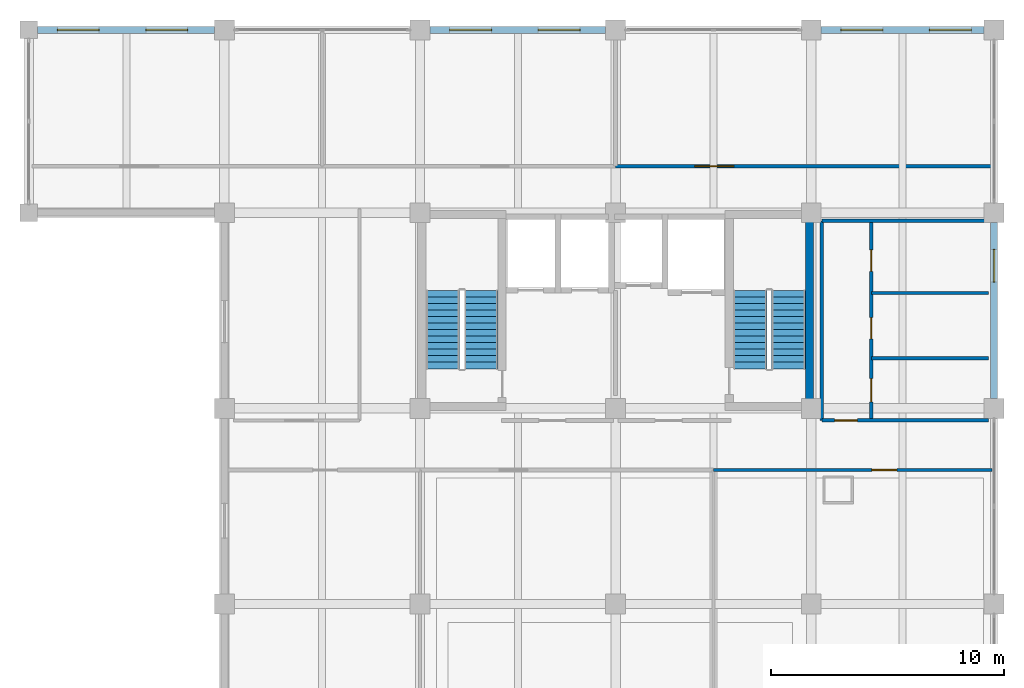
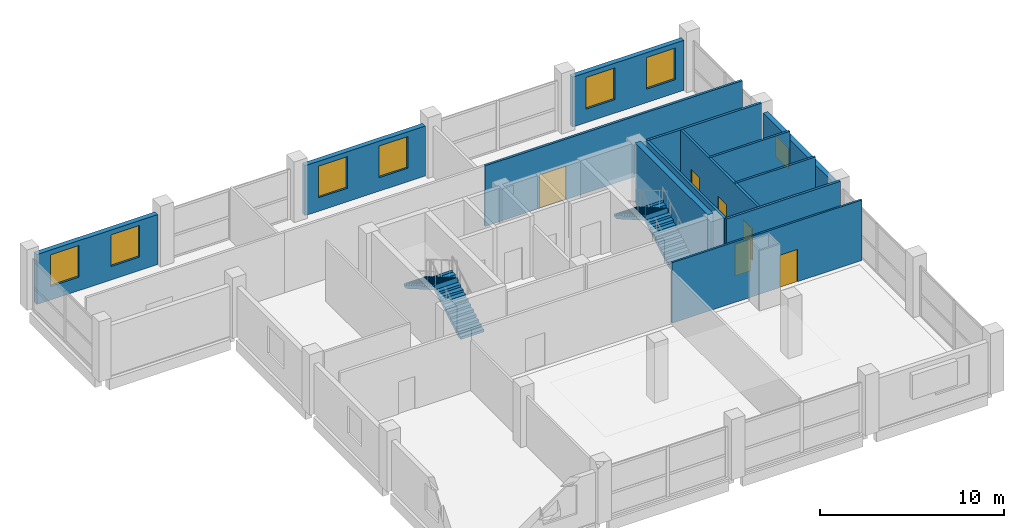
# One storey, part 8 of 9: 13 walls, 7 windows, 6 doors, 4 stair flights, 13 openings, 2 elements without a shape of their own.
"""IFC4 building model written with IfcOpenShell, lengths in metres."""

from ifc_helpers import new_model, si_unit, direction, frame, frame_2d, origin, place, context, subcontext, project, spatial, polyline, rectangle, outline, extrude, material, layer, layer_set, type_object, element, fill, aggregate, save


model = new_model("IFC4")

# Units and contexts
model_context = context("Model", 3, precision=1e-05, world=origin(), true_north=direction((0.0, 1.0)))
body_context = subcontext(model_context, "Body", "Model", "MODEL_VIEW")
ifc_project = project(units=[si_unit("LENGTHUNIT", "METRE"), si_unit("AREAUNIT", "SQUARE_METRE"), si_unit("VOLUMEUNIT", "CUBIC_METRE"), si_unit("PLANEANGLEUNIT", "RADIAN"), si_unit("MASSUNIT", "GRAM", prefix="KILO")], contexts=[model_context])

# Site, building, storey
site_placement = place(None, origin())
site = spatial("IfcSite", under=ifc_project, at=site_placement, CompositionType="ELEMENT")
building_placement = place(site_placement, origin())
building = spatial("IfcBuilding", under=site, at=building_placement, Name="Brinegate Botanical Conservatory", CompositionType="ELEMENT")
storey_placement = place(building_placement, frame((0.0, 0.0, 36.0)))
storey = spatial("IfcBuildingStorey", under=building, at=storey_placement, Name="L09", CompositionType="ELEMENT", Elevation=36.0)

# Wall, openings, windows
ifc_material_1 = material(Name="Insulated Minnan red clay brick masonry", Category="masonry")
ifc_layer_1 = layer(ifc_material_1, 0.300048828125, Name="Insulated Minnan red clay brick masonry", Category="masonry")
ifc_layer_set_1 = layer_set([ifc_layer_1], Name="Insulated Minnan red clay brick masonry")
wall_type_1 = type_object("IfcWallType", Name="Wall_EW-300B", PredefinedType="STANDARD", material=ifc_layer_set_1)
wall_1_placement = place(storey_placement, frame((122.375, 111.449951171875, 0.0), z_axis=(0.0, 0.0, 1.0), x_axis=(1.0, 0.0, 0.0)))
wall_1 = element("IfcWall", 1, at=wall_1_placement, inside=storey, type_object=wall_type_1, Name="Research lab north brick wall L09.1", PredefinedType="STANDARD", context=body_context, shape_type="SweptSolid", body=[
    extrude(rectangle(XDim=7.60009765625, YDim=0.300048828125, at=frame_2d((3.800048828125, 0.0))), origin(), (0.0, 0.0, 1.0), 3.320068359375),
])
opening_1_placement = place(wall_1_placement, frame((0.85009765625, 0.0, 0.89990234375)))
opening_1 = element("IfcOpeningElement", 2, at=opening_1_placement, cuts=wall_1, Name="Opening WN-01", PredefinedType="OPENING", context=body_context, shape_type="SweptSolid", body=[
    extrude(rectangle(XDim=1.800048828125, YDim=2.10009765625, at=frame_2d((0.89990234375, 1.050048828125))), frame((0.0, 0.159912109375, 0.0), z_axis=(0.0, -1.0, 0.0), x_axis=(1.0, 0.0, 0.0)), (0.0, 0.0, 1.0), 0.320068359375),
])
opening_2_placement = place(wall_1_placement, frame((4.64990234375, 0.0, 0.89990234375)))
opening_2 = element("IfcOpeningElement", 3, at=opening_2_placement, cuts=wall_1, Name="Opening WN-01", PredefinedType="OPENING", context=body_context, shape_type="SweptSolid", body=[
    extrude(rectangle(XDim=1.800048828125, YDim=2.10009765625, at=frame_2d((0.89990234375, 1.050048828125))), frame((0.0, 0.159912109375, 0.0), z_axis=(0.0, -1.0, 0.0), x_axis=(1.0, 0.0, 0.0)), (0.0, 0.0, 1.0), 0.320068359375),
])
ifc_material_2 = material(Name="Thermally broken aluminium-framed Low-E glass", Category="aluminium")
window_type_1 = type_object("IfcWindowType", Name="Win_WN-01", PartitioningType="DOUBLE_PANEL_VERTICAL", PredefinedType="WINDOW", material=ifc_material_2)
window_1_placement = place(opening_1_placement, origin())
window_1 = element("IfcWindow", 4, at=window_1_placement, inside=storey, type_object=window_type_1, Name="Research lab north window L09.1A", OverallHeight=2.10009765625, OverallWidth=1.800048828125, PartitioningType="DOUBLE_PANEL_VERTICAL", PredefinedType="WINDOW", context=body_context, shape_type="SweptSolid", body=[
    extrude(rectangle(XDim=1.800048828125, YDim=2.10009765625, at=frame_2d((0.89990234375, 1.050048828125))), frame((0.0, 0.030029296875, 0.0), z_axis=(0.0, -1.0, 0.0), x_axis=(1.0, 0.0, 0.0)), (0.0, 0.0, 1.0), 0.06005859375),
])
fill(opening_1, window_1)
window_2_placement = place(opening_2_placement, origin())
window_2 = element("IfcWindow", 5, at=window_2_placement, inside=storey, type_object=window_type_1, Name="Research lab north window L09.1B", OverallHeight=2.10009765625, OverallWidth=1.800048828125, PartitioningType="DOUBLE_PANEL_VERTICAL", PredefinedType="WINDOW", context=body_context, shape_type="SweptSolid", body=[
    extrude(rectangle(XDim=1.800048828125, YDim=2.10009765625, at=frame_2d((0.89990234375, 1.050048828125))), frame((0.0, 0.030029296875, 0.0), z_axis=(0.0, -1.0, 0.0), x_axis=(1.0, 0.0, 0.0)), (0.0, 0.0, 1.0), 0.06005859375),
])
fill(opening_2, window_2)

wall_2_placement = place(storey_placement, frame((139.22509765625, 111.449951171875, 0.0), z_axis=(0.0, 0.0, 1.0), x_axis=(1.0, 0.0, 0.0)))
wall_2 = element("IfcWall", 6, at=wall_2_placement, inside=storey, type_object=wall_type_1, Name="Research lab north brick wall L09.3", PredefinedType="STANDARD", context=body_context, shape_type="SweptSolid", body=[
    extrude(rectangle(XDim=7.5498046875, YDim=0.300048828125, at=frame_2d((3.77490234375, 0.0))), origin(), (0.0, 0.0, 1.0), 3.320068359375),
])
opening_3_placement = place(wall_2_placement, frame((0.85009765625, 0.0, 0.89990234375)))
opening_3 = element("IfcOpeningElement", 7, at=opening_3_placement, cuts=wall_2, Name="Opening WN-01", PredefinedType="OPENING", context=body_context, shape_type="SweptSolid", body=[
    extrude(rectangle(XDim=1.800048828125, YDim=2.10009765625, at=frame_2d((0.89990234375, 1.050048828125))), frame((0.0, 0.159912109375, 0.0), z_axis=(0.0, -1.0, 0.0), x_axis=(1.0, 0.0, 0.0)), (0.0, 0.0, 1.0), 0.320068359375),
])
opening_4_placement = place(wall_2_placement, frame((4.64990234375, 0.0, 0.89990234375)))
opening_4 = element("IfcOpeningElement", 8, at=opening_4_placement, cuts=wall_2, Name="Opening WN-01", PredefinedType="OPENING", context=body_context, shape_type="SweptSolid", body=[
    extrude(rectangle(XDim=1.800048828125, YDim=2.10009765625, at=frame_2d((0.89990234375, 1.050048828125))), frame((0.0, 0.159912109375, 0.0), z_axis=(0.0, -1.0, 0.0), x_axis=(1.0, 0.0, 0.0)), (0.0, 0.0, 1.0), 0.320068359375),
])
window_3_placement = place(opening_3_placement, origin())
window_3 = element("IfcWindow", 9, at=window_3_placement, inside=storey, type_object=window_type_1, Name="Research lab north window L09.3A", OverallHeight=2.10009765625, OverallWidth=1.800048828125, PartitioningType="DOUBLE_PANEL_VERTICAL", PredefinedType="WINDOW", context=body_context, shape_type="SweptSolid", body=[
    extrude(rectangle(XDim=1.800048828125, YDim=2.10009765625, at=frame_2d((0.89990234375, 1.050048828125))), frame((0.0, 0.030029296875, 0.0), z_axis=(0.0, -1.0, 0.0), x_axis=(1.0, 0.0, 0.0)), (0.0, 0.0, 1.0), 0.06005859375),
])
fill(opening_3, window_3)
window_4_placement = place(opening_4_placement, origin())
window_4 = element("IfcWindow", 10, at=window_4_placement, inside=storey, type_object=window_type_1, Name="Research lab north window L09.3B", OverallHeight=2.10009765625, OverallWidth=1.800048828125, PartitioningType="DOUBLE_PANEL_VERTICAL", PredefinedType="WINDOW", context=body_context, shape_type="SweptSolid", body=[
    extrude(rectangle(XDim=1.800048828125, YDim=2.10009765625, at=frame_2d((0.89990234375, 1.050048828125))), frame((0.0, 0.030029296875, 0.0), z_axis=(0.0, -1.0, 0.0), x_axis=(1.0, 0.0, 0.0)), (0.0, 0.0, 1.0), 0.06005859375),
])
fill(opening_4, window_4)

wall_3_placement = place(storey_placement, frame((156.02490234375, 111.449951171875, 0.0), z_axis=(0.0, 0.0, 1.0), x_axis=(1.0, 0.0, 0.0)))
wall_3 = element("IfcWall", 11, at=wall_3_placement, inside=storey, type_object=wall_type_1, Name="Research lab north brick wall L09.5", PredefinedType="STANDARD", context=body_context, shape_type="SweptSolid", body=[
    extrude(rectangle(XDim=7.0, YDim=0.300048828125, at=frame_2d((3.5, 0.0))), origin(), (0.0, 0.0, 1.0), 3.320068359375),
])
opening_5_placement = place(wall_3_placement, frame((0.85009765625, 0.0, 0.89990234375)))
opening_5 = element("IfcOpeningElement", 12, at=opening_5_placement, cuts=wall_3, Name="Opening WN-01", PredefinedType="OPENING", context=body_context, shape_type="SweptSolid", body=[
    extrude(rectangle(XDim=1.800048828125, YDim=2.10009765625, at=frame_2d((0.89990234375, 1.050048828125))), frame((0.0, 0.159912109375, 0.0), z_axis=(0.0, -1.0, 0.0), x_axis=(1.0, 0.0, 0.0)), (0.0, 0.0, 1.0), 0.320068359375),
])
opening_6_placement = place(wall_3_placement, frame((4.64990234375, 0.0, 0.89990234375)))
opening_6 = element("IfcOpeningElement", 13, at=opening_6_placement, cuts=wall_3, Name="Opening WN-01", PredefinedType="OPENING", context=body_context, shape_type="SweptSolid", body=[
    extrude(rectangle(XDim=1.800048828125, YDim=2.10009765625, at=frame_2d((0.89990234375, 1.050048828125))), frame((0.0, 0.159912109375, 0.0), z_axis=(0.0, -1.0, 0.0), x_axis=(1.0, 0.0, 0.0)), (0.0, 0.0, 1.0), 0.320068359375),
])
window_5_placement = place(opening_5_placement, origin())
window_5 = element("IfcWindow", 14, at=window_5_placement, inside=storey, type_object=window_type_1, Name="Research lab north window L09.5A", OverallHeight=2.10009765625, OverallWidth=1.800048828125, PartitioningType="DOUBLE_PANEL_VERTICAL", PredefinedType="WINDOW", context=body_context, shape_type="SweptSolid", body=[
    extrude(rectangle(XDim=1.800048828125, YDim=2.10009765625, at=frame_2d((0.89990234375, 1.050048828125))), frame((0.0, 0.030029296875, 0.0), z_axis=(0.0, -1.0, 0.0), x_axis=(1.0, 0.0, 0.0)), (0.0, 0.0, 1.0), 0.06005859375),
])
fill(opening_5, window_5)
window_6_placement = place(opening_6_placement, origin())
window_6 = element("IfcWindow", 15, at=window_6_placement, inside=storey, type_object=window_type_1, Name="Research lab north window L09.5B", OverallHeight=2.10009765625, OverallWidth=1.800048828125, PartitioningType="DOUBLE_PANEL_VERTICAL", PredefinedType="WINDOW", context=body_context, shape_type="SweptSolid", body=[
    extrude(rectangle(XDim=1.800048828125, YDim=2.10009765625, at=frame_2d((0.89990234375, 1.050048828125))), frame((0.0, 0.030029296875, 0.0), z_axis=(0.0, -1.0, 0.0), x_axis=(1.0, 0.0, 0.0)), (0.0, 0.0, 1.0), 0.06005859375),
])
fill(opening_6, window_6)

# Wall, opening, window
wall_4_placement = place(storey_placement, frame((163.449951171875, 103.175048828125, 0.0), z_axis=(0.0, 0.0, 1.0), x_axis=(0.0, -1.0, 0.0)))
wall_4 = element("IfcWall", 16, at=wall_4_placement, inside=storey, type_object=wall_type_1, Name="Tower east brick wall L09.3", PredefinedType="STANDARD", context=body_context, shape_type="SweptSolid", body=[
    extrude(rectangle(XDim=7.550048828125, YDim=0.300048828125, at=frame_2d((3.77490234375, 0.0))), origin(), (0.0, 0.0, 1.0), 3.320068359375),
])
opening_7_placement = place(wall_4_placement, frame((1.14990234375, 0.0, 1.10009765625)))
opening_7 = element("IfcOpeningElement", 17, at=opening_7_placement, cuts=wall_4, Name="Opening WN-16", PredefinedType="OPENING", context=body_context, shape_type="SweptSolid", body=[
    extrude(rectangle(XDim=1.39990234375, YDim=1.39990234375, at=frame_2d((0.699951171875, 0.699951171875))), frame((0.0, 0.159912109375, 0.0), z_axis=(0.0, -1.0, 0.0), x_axis=(1.0, 0.0, 0.0)), (0.0, 0.0, 1.0), 0.320068359375),
])
window_type_2 = type_object("IfcWindowType", Name="Win_WN-16", PartitioningType="SINGLE_PANEL", PredefinedType="WINDOW", material=ifc_material_2)
window_7_placement = place(opening_7_placement, origin())
window_7 = element("IfcWindow", 18, at=window_7_placement, inside=storey, type_object=window_type_2, Name="Tower east window L09.3", OverallHeight=1.39990234375, OverallWidth=1.39990234375, PartitioningType="SINGLE_PANEL", PredefinedType="WINDOW", context=body_context, shape_type="SweptSolid", body=[
    extrude(rectangle(XDim=1.39990234375, YDim=1.39990234375, at=frame_2d((0.699951171875, 0.699951171875))), frame((0.0, 0.030029296875, 0.0), z_axis=(0.0, -1.0, 0.0), x_axis=(1.0, 0.0, 0.0)), (0.0, 0.0, 1.0), 0.06005859375),
])
fill(opening_7, window_7)

# Wall, opening, door
ifc_material_3 = material(Name="Gypsum-clad steel-stud partition", Category="steel")
ifc_layer_2 = layer(ifc_material_3, 0.1201171875, Name="Gypsum-clad steel-stud partition", Category="steel")
ifc_layer_set_2 = layer_set([ifc_layer_2], Name="Gypsum-clad steel-stud partition")
wall_type_2 = type_object("IfcWallType", Name="Wall_PW-120", PredefinedType="PARTITIONING", material=ifc_layer_set_2)
wall_5_placement = place(storey_placement, frame((151.39990234375, 92.550048828125, 0.0), z_axis=(0.0, 0.0, 1.0), x_axis=(1.0, 0.0, 0.0)))
wall_5 = element("IfcWall", 19, at=wall_5_placement, inside=storey, type_object=wall_type_2, Name="Interior partition P-L09-SB-S3", PredefinedType="PARTITIONING", context=body_context, shape_type="SweptSolid", body=[
    extrude(rectangle(XDim=11.9501953125, YDim=0.1201171875, at=frame_2d((5.97509765625, 0.0))), origin(), (0.0, 0.0, 1.0), 4.02001953125),
])
opening_8_placement = place(wall_5_placement, frame((6.800048828125, 0.0, 0.0)))
opening_8 = element("IfcOpeningElement", 20, at=opening_8_placement, cuts=wall_5, Name="Opening DR-01", PredefinedType="OPENING", context=body_context, shape_type="SweptSolid", body=[
    extrude(rectangle(XDim=1.080078125, YDim=2.14990234375, at=frame_2d((0.5400390625, 1.074951171875))), frame((0.0, 0.070068359375, 0.0), z_axis=(0.0, -1.0, 0.0), x_axis=(1.0, 0.0, 0.0)), (0.0, 0.0, 1.0), 0.14013671875),
])
ifc_material_4 = material(Name="Hardwood timber acoustic leaf", Category="wood")
door_type_1 = type_object("IfcDoorType", Name="Door_DR-01", OperationType="NOTDEFINED", PredefinedType="DOOR", material=ifc_material_4)
door_1_placement = place(opening_8_placement, origin())
door_1 = element("IfcDoor", 21, at=door_1_placement, inside=storey, type_object=door_type_1, Name="DR-P-L09-SB-S3-1", OperationType="SINGLE_SWING_RIGHT", OverallHeight=2.14990234375, OverallWidth=1.080078125, PredefinedType="DOOR", context=body_context, shape_type="SweptSolid", body=[
    extrude(rectangle(XDim=1.080078125, YDim=2.14990234375, at=frame_2d((0.5400390625, 1.074951171875))), frame((0.0, 0.02490234375, 0.0), z_axis=(0.0, -1.0, 0.0), x_axis=(1.0, 0.0, 0.0)), (0.0, 0.0, 1.0), 0.050048828125),
])
fill(opening_8, door_1)

# Walls
ifc_layer_3 = layer(ifc_material_3, 0.135009765625, Name="Gypsum-clad steel-stud partition", Category="steel")
ifc_layer_set_3 = layer_set([ifc_layer_3], Name="Gypsum-clad steel-stud partition")
wall_type_3 = type_object("IfcWallType", Name="Wall_PW-135", PredefinedType="PARTITIONING", material=ifc_layer_set_3)
for number, where, z_axis, x_axis, name in (
    (22, (158.179931640625, 97.35009765625, 0.0), (0.0, 0.0, 1.0), (1.0, 0.0, 0.0), "Interior partition P-L09-WCD-9735"),
    (23, (158.179931640625, 100.14990234375, 0.0), (0.0, 0.0, 1.0), (1.0, 0.0, 0.0), "Interior partition P-L09-WCD-10015"),
):
    element("IfcWall", number, at=place(storey_placement, frame(where, z_axis=z_axis, x_axis=x_axis)), inside=storey, type_object=wall_type_3, Name=name, PredefinedType="PARTITIONING", context=body_context, shape_type="SweptSolid", body=[
        extrude(rectangle(XDim=5.02001953125, YDim=0.135009765625, at=frame_2d((2.510009765625, 0.0))), origin(), (0.0, 0.0, 1.0), 4.02001953125),
    ])

# Wall, opening, door
ifc_material_5 = material(Name="Gypsum-clad acoustic steel-stud partition", Category="steel")
ifc_layer_4 = layer(ifc_material_5, 0.14501953125, Name="Gypsum-clad acoustic steel-stud partition", Category="steel")
ifc_layer_set_4 = layer_set([ifc_layer_4], Name="Gypsum-clad acoustic steel-stud partition")
wall_type_4 = type_object("IfcWallType", Name="Wall_PW-150", PredefinedType="PARTITIONING", material=ifc_layer_set_4)
wall_6_placement = place(storey_placement, frame((147.199951171875, 105.60009765625, 0.0), z_axis=(0.0, 0.0, 1.0), x_axis=(1.0, 0.0, 0.0)))
wall_6 = element("IfcWall", 24, at=wall_6_placement, inside=storey, type_object=wall_type_4, Name="Interior partition P-L09-NB-N3", PredefinedType="PARTITIONING", context=body_context, shape_type="SweptSolid", body=[
    extrude(rectangle(XDim=16.150146484375, YDim=0.14501953125, at=frame_2d((8.0751953125, 0.0))), origin(), (0.0, 0.0, 1.0), 4.02001953125),
])
opening_9_placement = place(wall_6_placement, frame((3.39990234375, 0.0, 0.0)))
opening_9 = element("IfcOpeningElement", 25, at=opening_9_placement, cuts=wall_6, Name="Opening DR-23", PredefinedType="OPENING", context=body_context, shape_type="SweptSolid", body=[
    extrude(rectangle(XDim=1.679931640625, YDim=2.239990234375, at=frame_2d((0.83984375, 1.1201171875))), frame((0.0, 0.08251953125, 0.0), z_axis=(0.0, -1.0, 0.0), x_axis=(1.0, 0.0, 0.0)), (0.0, 0.0, 1.0), 0.1650390625),
])
ifc_material_6 = material(Name="Powder-coated steel lab door", Category="steel")
door_type_2 = type_object("IfcDoorType", Name="Door_DR-23", OperationType="NOTDEFINED", PredefinedType="DOOR", material=ifc_material_6)
door_2_placement = place(opening_9_placement, origin())
door_2 = element("IfcDoor", 26, at=door_2_placement, inside=storey, type_object=door_type_2, Name="DR-P-L09-NB-N3-1", OperationType="SINGLE_SWING_LEFT", OverallHeight=2.239990234375, OverallWidth=1.679931640625, PredefinedType="DOOR", context=body_context, shape_type="SweptSolid", body=[
    extrude(rectangle(XDim=1.679931640625, YDim=2.239990234375, at=frame_2d((0.83984375, 1.1201171875))), frame((0.0, 0.02490234375, 0.0), z_axis=(0.0, -1.0, 0.0), x_axis=(1.0, 0.0, 0.0)), (0.0, 0.0, 1.0), 0.050048828125),
])
fill(opening_9, door_2)

ifc_material_7 = material(Name="Moisture-resistant cement-board partition", Category="gypsum")
ifc_layer_5 = layer(ifc_material_7, 0.14990234375, Name="Moisture-resistant cement-board partition", Category="gypsum")
ifc_layer_set_5 = layer_set([ifc_layer_5], Name="Moisture-resistant cement-board partition")
wall_type_5 = type_object("IfcWallType", Name="Wall_PW-150W", PredefinedType="PARTITIONING", material=ifc_layer_set_5)
wall_7_placement = place(storey_placement, frame((156.050048828125, 94.679931640625, 0.0), z_axis=(0.0, 0.0, 1.0), x_axis=(1.0, 0.0, 0.0)))
wall_7 = element("IfcWall", 27, at=wall_7_placement, inside=storey, type_object=wall_type_5, Name="Interior partition P-L09-WCS", PredefinedType="PARTITIONING", context=body_context, shape_type="SweptSolid", body=[
    extrude(rectangle(XDim=7.14990234375, YDim=0.14990234375, at=frame_2d((3.574951171875, 0.0))), origin(), (0.0, 0.0, 1.0), 4.02001953125),
])
opening_10_placement = place(wall_7_placement, frame((0.550048828125, 0.0, 0.0)))
opening_10 = element("IfcOpeningElement", 28, at=opening_10_placement, cuts=wall_7, Name="Opening DR-03", PredefinedType="OPENING", context=body_context, shape_type="SweptSolid", body=[
    extrude(rectangle(XDim=0.97998046875, YDim=2.1201171875, at=frame_2d((0.489990234375, 1.06005859375))), frame((0.0, 0.0849609375, 0.0), z_axis=(0.0, -1.0, 0.0), x_axis=(1.0, 0.0, 0.0)), (0.0, 0.0, 1.0), 0.169921875),
])
ifc_material_8 = material(Name="Steel-core hardwood smoke-sealed fire door", Category="steel")
door_type_3 = type_object("IfcDoorType", Name="Door_DR-03", OperationType="NOTDEFINED", PredefinedType="DOOR", material=ifc_material_8)
door_3_placement = place(opening_10_placement, origin())
door_3 = element("IfcDoor", 29, at=door_3_placement, inside=storey, type_object=door_type_3, Name="DR-P-L09-WCS-1", OperationType="SINGLE_SWING_LEFT", OverallHeight=2.1201171875, OverallWidth=0.97998046875, PredefinedType="DOOR", context=body_context, shape_type="SweptSolid", body=[
    extrude(rectangle(XDim=0.97998046875, YDim=2.1201171875, at=frame_2d((0.489990234375, 1.06005859375))), frame((0.0, 0.02490234375, 0.0), z_axis=(0.0, -1.0, 0.0), x_axis=(1.0, 0.0, 0.0)), (0.0, 0.0, 1.0), 0.050048828125),
])
fill(opening_10, door_3)

# Wall, openings, doors
wall_8_placement = place(storey_placement, frame((158.179931640625, 94.679931640625, 0.0), z_axis=(0.0, 0.0, 1.0), x_axis=(0.0, 1.0, 0.0)))
wall_8 = element("IfcWall", 30, at=wall_8_placement, inside=storey, type_object=wall_type_5, Name="Interior partition P-L09-WCW", PredefinedType="PARTITIONING", context=body_context, shape_type="SweptSolid", body=[
    extrude(rectangle(XDim=8.570068359375, YDim=0.14990234375, at=frame_2d((4.28515625, 0.0))), origin(), (0.0, 0.0, 1.0), 4.02001953125),
])
opening_11_placement = place(wall_8_placement, frame((0.800048828125, 0.0, 0.0)))
opening_11 = element("IfcOpeningElement", 31, at=opening_11_placement, cuts=wall_8, Name="Opening DR-ACC", PredefinedType="OPENING", context=body_context, shape_type="SweptSolid", body=[
    extrude(rectangle(XDim=1.0, YDim=2.1201171875, at=frame_2d((0.5, 1.06005859375))), frame((0.0, 0.0849609375, 0.0), z_axis=(0.0, -1.0, 0.0), x_axis=(1.0, 0.0, 0.0)), (0.0, 0.0, 1.0), 0.169921875),
])
opening_12_placement = place(wall_8_placement, frame((3.5, 0.0, 0.0)))
opening_12 = element("IfcOpeningElement", 32, at=opening_12_placement, cuts=wall_8, Name="Opening DR-04", PredefinedType="OPENING", context=body_context, shape_type="SweptSolid", body=[
    extrude(rectangle(XDim=0.919921875, YDim=2.10009765625, at=frame_2d((0.4599609375, 1.050048828125))), frame((0.0, 0.0849609375, 0.0), z_axis=(0.0, -1.0, 0.0), x_axis=(1.0, 0.0, 0.0)), (0.0, 0.0, 1.0), 0.169921875),
])
opening_13_placement = place(wall_8_placement, frame((6.39990234375, 0.0, 0.0)))
opening_13 = element("IfcOpeningElement", 33, at=opening_13_placement, cuts=wall_8, Name="Opening DR-04", PredefinedType="OPENING", context=body_context, shape_type="SweptSolid", body=[
    extrude(rectangle(XDim=0.919921875, YDim=2.10009765625, at=frame_2d((0.4599609375, 1.050048828125))), frame((0.0, 0.0849609375, 0.0), z_axis=(0.0, -1.0, 0.0), x_axis=(1.0, 0.0, 0.0)), (0.0, 0.0, 1.0), 0.169921875),
])
ifc_material_9 = material(Name="Moisture-resistant laminate timber leaf", Category="wood")
door_type_4 = type_object("IfcDoorType", Name="Door_DR-04", OperationType="NOTDEFINED", PredefinedType="DOOR", material=ifc_material_9)
door_4_placement = place(opening_12_placement, origin())
door_4 = element("IfcDoor", 34, at=door_4_placement, inside=storey, type_object=door_type_4, Name="DR-P-L09-WCW-2", OperationType="SINGLE_SWING_RIGHT", OverallHeight=2.10009765625, OverallWidth=0.919921875, PredefinedType="DOOR", context=body_context, shape_type="SweptSolid", body=[
    extrude(rectangle(XDim=0.919921875, YDim=2.10009765625, at=frame_2d((0.4599609375, 1.050048828125))), frame((0.0, 0.02490234375, 0.0), z_axis=(0.0, -1.0, 0.0), x_axis=(1.0, 0.0, 0.0)), (0.0, 0.0, 1.0), 0.050048828125),
])
fill(opening_12, door_4)
door_5_placement = place(opening_13_placement, origin())
door_5 = element("IfcDoor", 35, at=door_5_placement, inside=storey, type_object=door_type_4, Name="DR-P-L09-WCW-3", OperationType="SINGLE_SWING_LEFT", OverallHeight=2.10009765625, OverallWidth=0.919921875, PredefinedType="DOOR", context=body_context, shape_type="SweptSolid", body=[
    extrude(rectangle(XDim=0.919921875, YDim=2.10009765625, at=frame_2d((0.4599609375, 1.050048828125))), frame((0.0, 0.02490234375, 0.0), z_axis=(0.0, -1.0, 0.0), x_axis=(1.0, 0.0, 0.0)), (0.0, 0.0, 1.0), 0.050048828125),
])
fill(opening_13, door_5)
ifc_material_10 = material(Name="Moisture-resistant barrier-free timber leaf", Category="wood")
door_type_5 = type_object("IfcDoorType", Name="Door_DR-ACC", OperationType="NOTDEFINED", PredefinedType="DOOR", material=ifc_material_10)
door_6_placement = place(opening_11_placement, origin())
door_6 = element("IfcDoor", 36, at=door_6_placement, inside=storey, type_object=door_type_5, Name="DR-P-L09-WCW-1", OperationType="SINGLE_SWING_LEFT", OverallHeight=2.1201171875, OverallWidth=1.0, PredefinedType="DOOR", context=body_context, shape_type="SweptSolid", body=[
    extrude(rectangle(XDim=1.0, YDim=2.1201171875, at=frame_2d((0.5, 1.06005859375))), frame((0.0, 0.02490234375, 0.0), z_axis=(0.0, -1.0, 0.0), x_axis=(1.0, 0.0, 0.0)), (0.0, 0.0, 1.0), 0.050048828125),
])
fill(opening_11, door_6)

# Walls
wall_9_placement = place(storey_placement, frame((156.050048828125, 103.25, 0.0), z_axis=(0.0, 0.0, 1.0), x_axis=(1.0, 0.0, 0.0)))
element("IfcWall", 37, at=wall_9_placement, inside=storey, type_object=wall_type_5, Name="Interior partition P-L09-WCN", PredefinedType="PARTITIONING", context=body_context, shape_type="SweptSolid", body=[
    extrude(rectangle(XDim=7.14990234375, YDim=0.14990234375, at=frame_2d((3.574951171875, 0.0))), origin(), (0.0, 0.0, 1.0), 4.02001953125),
])
wall_10_placement = place(storey_placement, frame((156.050048828125, 94.679931640625, 0.0), z_axis=(0.0, 0.0, 1.0), x_axis=(0.0, 1.0, 0.0)))
element("IfcWall", 38, at=wall_10_placement, inside=storey, type_object=wall_type_5, Name="Interior partition P-L09-WCWW", PredefinedType="PARTITIONING", context=body_context, shape_type="SweptSolid", body=[
    extrude(rectangle(XDim=8.570068359375, YDim=0.14990234375, at=frame_2d((4.28515625, 0.0))), origin(), (0.0, 0.0, 1.0), 4.02001953125),
])
ifc_material_11 = material(Name="Concrete C40/50", Category="concrete")
ifc_layer_6 = layer(ifc_material_11, 0.35009765625, Name="Concrete C40/50", Category="concrete")
ifc_layer_set_6 = layer_set([ifc_layer_6], Name="Concrete C40/50")
wall_type_6 = type_object("IfcWallType", Name="Wall_SW-350", PredefinedType="SHEAR", material=ifc_layer_set_6)
wall_11_placement = place(storey_placement, frame((155.52490234375, 95.449951171875, 0.0), z_axis=(0.0, 0.0, 1.0), x_axis=(0.0, 1.0, 0.0)))
element("IfcWall", 39, at=wall_11_placement, inside=storey, type_object=wall_type_6, Name="Stairwell ST2 shear wall L09 E", PredefinedType="SHEAR", context=body_context, shape_type="SweptSolid", body=[
    extrude(rectangle(XDim=7.900146484375, YDim=0.35009765625, at=frame_2d((3.9501953125, 0.0))), origin(), (0.0, 0.0, 1.0), 4.02001953125),
])

# Stair, stair flights
stair_type = type_object("IfcStairType", Name="Stair_HT-4200", PredefinedType="HALF_TURN_STAIR", material=ifc_material_11)
stair_1_placement = place(storey_placement, origin())
stair_1 = element("IfcStair", 40, at=stair_1_placement, inside=storey, type_object=stair_type, Name="L09 Tower West Smoke-Proof Stair ST1", PredefinedType="HALF_TURN_STAIR")
stair_flight_type = type_object("IfcStairFlightType", Name="Flight_SF-4200", PredefinedType="STRAIGHT", material=ifc_material_11)
stair_flight_1_placement = place(storey_placement, frame((141.425048828125, 96.89990234375, 0.0), z_axis=(0.0, 0.0, 1.0), x_axis=(0.0, 1.0, 0.0)))
stair_flight_1 = element("IfcStairFlight", 41, at=stair_flight_1_placement, type_object=stair_flight_type, Name="ST1 flight 1", NumberOfRisers=13, NumberOfTreads=12, PredefinedType="STRAIGHT", RiserHeight=0.161538462, TreadLength=0.28, context=body_context, shape_type="SweptSolid", body=[
    extrude(outline(polyline([(-0.00048828125, 0.0), (-0.00048828125, 0.16162109375), (0.280029296875, 0.16162109375), (0.280029296875, 0.322998046875), (0.56005859375, 0.322998046875), (0.56005859375, 0.484619140625), (0.840087890625, 0.484619140625), (0.840087890625, 0.646240234375), (1.1201171875, 0.646240234375), (1.1201171875, 0.8076171875), (1.39990234375, 0.8076171875), (1.39990234375, 0.96923828125), (1.679931640625, 0.96923828125), (1.679931640625, 1.130859375), (1.9599609375, 1.130859375), (1.9599609375, 1.292236328125), (2.239990234375, 1.292236328125), (2.239990234375, 1.453857421875), (2.52001953125, 1.453857421875), (2.52001953125, 1.615478515625), (2.800048828125, 1.615478515625), (2.800048828125, 1.77685546875), (3.080078125, 1.77685546875), (3.080078125, 1.9384765625), (3.360107421875, 1.9384765625), (3.360107421875, 2.10009765625), (3.360595703125, 2.10009765625), (3.360595703125, 1.765380859375), (0.300048828125, 0.0), (-0.00048828125, 0.0)])), frame((0.0, 0.72509765625, 0.0), z_axis=(0.0, -1.0, 0.0), x_axis=(1.0, 0.0, 0.0)), (0.0, 0.0, 1.0), 1.449951171875),
])
stair_flight_2_placement = place(storey_placement, frame((139.77490234375, 100.260009765625, 2.10009765625), z_axis=(0.0, 0.0, 1.0), x_axis=(0.0, -1.0, 0.0)))
stair_flight_2 = element("IfcStairFlight", 42, at=stair_flight_2_placement, type_object=stair_flight_type, Name="ST1 flight 2", NumberOfRisers=13, NumberOfTreads=12, PredefinedType="STRAIGHT", RiserHeight=0.161538462, TreadLength=0.28, context=body_context, shape_type="SweptSolid", body=[
    extrude(outline(polyline([(-0.00048828125, 0.0), (-0.00048828125, 0.16162109375), (0.280029296875, 0.16162109375), (0.280029296875, 0.322998046875), (0.56005859375, 0.322998046875), (0.56005859375, 0.484619140625), (0.840087890625, 0.484619140625), (0.840087890625, 0.646240234375), (1.1201171875, 0.646240234375), (1.1201171875, 0.8076171875), (1.39990234375, 0.8076171875), (1.39990234375, 0.96923828125), (1.679931640625, 0.96923828125), (1.679931640625, 1.130859375), (1.9599609375, 1.130859375), (1.9599609375, 1.292236328125), (2.239990234375, 1.292236328125), (2.239990234375, 1.453857421875), (2.52001953125, 1.453857421875), (2.52001953125, 1.615478515625), (2.800048828125, 1.615478515625), (2.800048828125, 1.77685546875), (3.080078125, 1.77685546875), (3.080078125, 1.9384765625), (3.360107421875, 1.9384765625), (3.360107421875, 2.10009765625), (3.360595703125, 2.10009765625), (3.360595703125, 1.765380859375), (0.300048828125, 0.0), (-0.00048828125, 0.0)])), frame((0.0, 0.72509765625, 0.0), z_axis=(0.0, -1.0, 0.0), x_axis=(1.0, 0.0, 0.0)), (0.0, 0.0, 1.0), 1.449951171875),
])
aggregate(stair_1, [stair_flight_1, stair_flight_2])

stair_2_placement = place(storey_placement, origin())
stair_2 = element("IfcStair", 43, at=stair_2_placement, inside=storey, type_object=stair_type, Name="L09 Tower East Smoke-Proof Stair ST2", PredefinedType="HALF_TURN_STAIR")
stair_flight_3_placement = place(storey_placement, frame((154.625, 96.89990234375, 0.0), z_axis=(0.0, 0.0, 1.0), x_axis=(0.0, 1.0, 0.0)))
stair_flight_3 = element("IfcStairFlight", 44, at=stair_flight_3_placement, type_object=stair_flight_type, Name="ST2 flight 1", NumberOfRisers=13, NumberOfTreads=12, PredefinedType="STRAIGHT", RiserHeight=0.161538462, TreadLength=0.28, context=body_context, shape_type="SweptSolid", body=[
    extrude(outline(polyline([(-0.00048828125, 0.0), (-0.00048828125, 0.16162109375), (0.280029296875, 0.16162109375), (0.280029296875, 0.322998046875), (0.56005859375, 0.322998046875), (0.56005859375, 0.484619140625), (0.840087890625, 0.484619140625), (0.840087890625, 0.646240234375), (1.1201171875, 0.646240234375), (1.1201171875, 0.8076171875), (1.39990234375, 0.8076171875), (1.39990234375, 0.96923828125), (1.679931640625, 0.96923828125), (1.679931640625, 1.130859375), (1.9599609375, 1.130859375), (1.9599609375, 1.292236328125), (2.239990234375, 1.292236328125), (2.239990234375, 1.453857421875), (2.52001953125, 1.453857421875), (2.52001953125, 1.615478515625), (2.800048828125, 1.615478515625), (2.800048828125, 1.77685546875), (3.080078125, 1.77685546875), (3.080078125, 1.9384765625), (3.360107421875, 1.9384765625), (3.360107421875, 2.10009765625), (3.360595703125, 2.10009765625), (3.360595703125, 1.765380859375), (0.300048828125, 0.0), (-0.00048828125, 0.0)])), frame((0.0, 0.72509765625, 0.0), z_axis=(0.0, -1.0, 0.0), x_axis=(1.0, 0.0, 0.0)), (0.0, 0.0, 1.0), 1.449951171875),
])
stair_flight_4_placement = place(storey_placement, frame((152.97509765625, 100.260009765625, 2.10009765625), z_axis=(0.0, 0.0, 1.0), x_axis=(0.0, -1.0, 0.0)))
stair_flight_4 = element("IfcStairFlight", 45, at=stair_flight_4_placement, type_object=stair_flight_type, Name="ST2 flight 2", NumberOfRisers=13, NumberOfTreads=12, PredefinedType="STRAIGHT", RiserHeight=0.161538462, TreadLength=0.28, context=body_context, shape_type="SweptSolid", body=[
    extrude(outline(polyline([(-0.00048828125, 0.0), (-0.00048828125, 0.16162109375), (0.280029296875, 0.16162109375), (0.280029296875, 0.322998046875), (0.56005859375, 0.322998046875), (0.56005859375, 0.484619140625), (0.840087890625, 0.484619140625), (0.840087890625, 0.646240234375), (1.1201171875, 0.646240234375), (1.1201171875, 0.8076171875), (1.39990234375, 0.8076171875), (1.39990234375, 0.96923828125), (1.679931640625, 0.96923828125), (1.679931640625, 1.130859375), (1.9599609375, 1.130859375), (1.9599609375, 1.292236328125), (2.239990234375, 1.292236328125), (2.239990234375, 1.453857421875), (2.52001953125, 1.453857421875), (2.52001953125, 1.615478515625), (2.800048828125, 1.615478515625), (2.800048828125, 1.77685546875), (3.080078125, 1.77685546875), (3.080078125, 1.9384765625), (3.360107421875, 1.9384765625), (3.360107421875, 2.10009765625), (3.360595703125, 2.10009765625), (3.360595703125, 1.765380859375), (0.300048828125, 0.0), (-0.00048828125, 0.0)])), frame((0.0, 0.72509765625, 0.0), z_axis=(0.0, -1.0, 0.0), x_axis=(1.0, 0.0, 0.0)), (0.0, 0.0, 1.0), 1.449951171875),
])
aggregate(stair_2, [stair_flight_3, stair_flight_4])

save(model, "model.ifc")
